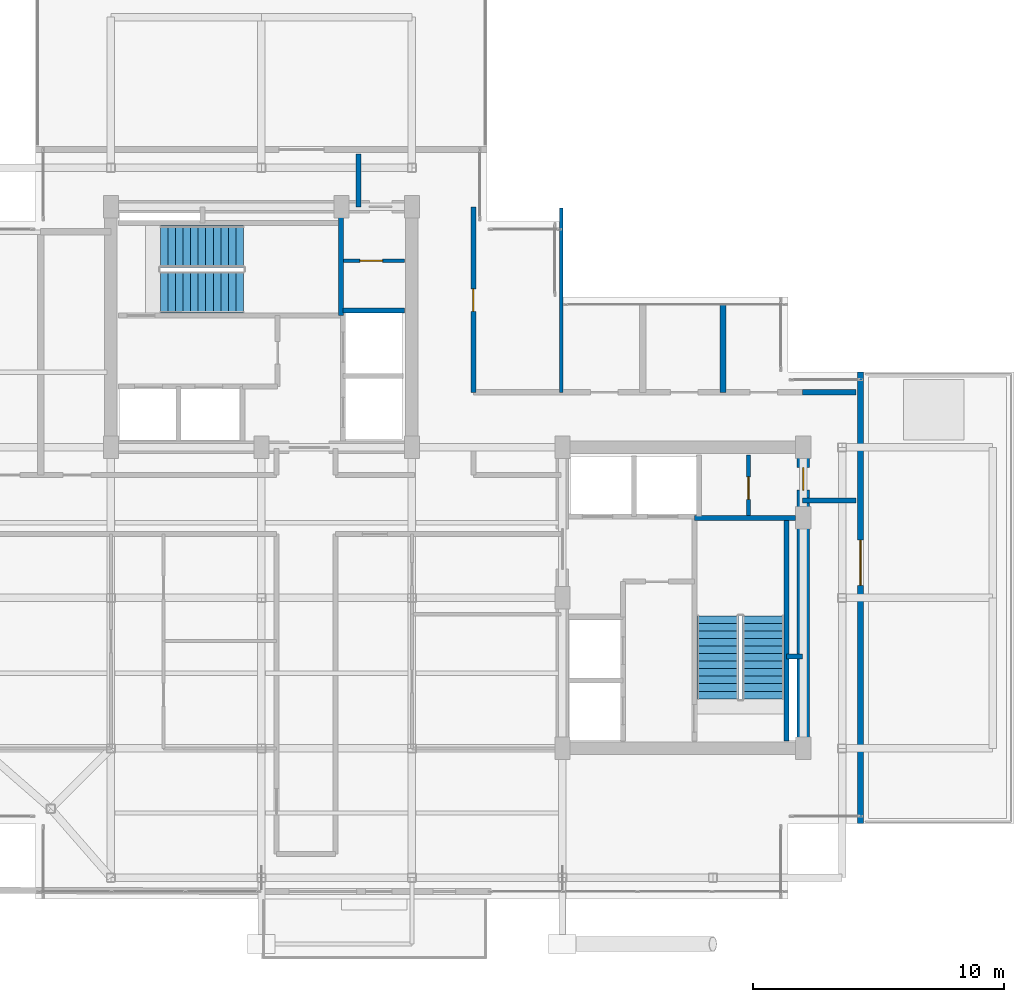
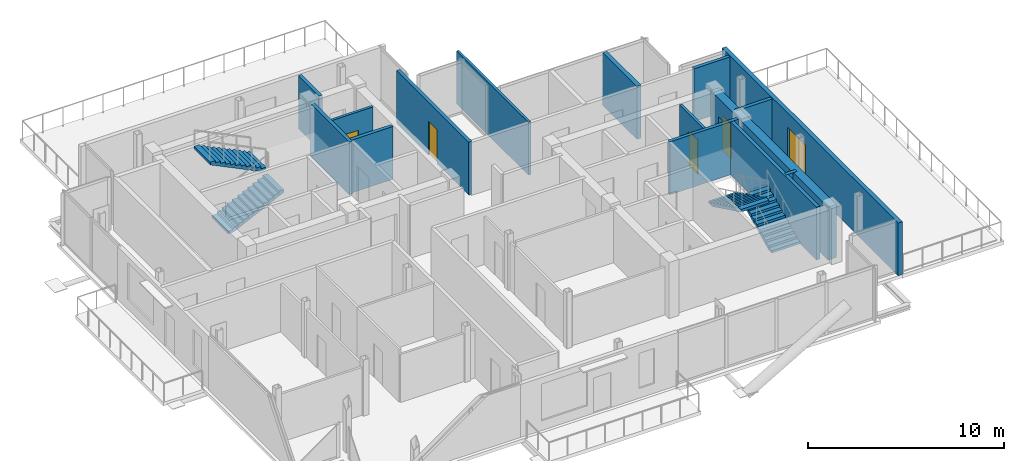
# One storey, part 16 of 19: 15 walls, 5 doors, 4 stair flights, 5 openings, 2 elements without a shape of their own.
"""IFC4 building model written with IfcOpenShell, lengths in metres."""

import ifcopenshell
import ifcopenshell.guid

model = None  # the IFC model being written
_history = None  # IfcOwnerHistory: only IFC2X3 demands one
_inside = {}  # id of a spatial element -> (the spatial element, [elements in it])
_under = {}  # id of a project, library or spatial element -> (it, [spatial elements below it])
_declared = {}  # id of a project -> (the project, [libraries it declares])
_typed = {}  # id of a type object -> (the type object, [elements of that type])
_made_of = {}  # id of a material, layer set ... -> (it, [elements and type objects made of it])


def new_model(schema):
    """Start an empty IFC model of exactly this schema.

    Asked for "IFC4X3", IfcOpenShell would pick the latest addendum, in which some entities
    have other attributes; the version numbers below select the first issue.
    IFC2X3 requires an IfcOwnerHistory on every rooted entity: one is made here for all.
    """
    global model, _history
    if schema == "IFC4X3":
        model = ifcopenshell.file(schema_version=(4, 3, 0, 0))
    else:
        model = ifcopenshell.file(schema=schema)
    _inside.clear()
    _under.clear()
    _declared.clear()
    _typed.clear()
    _made_of.clear()
    _history = None
    if model.schema == "IFC2X3":
        org = make("IfcOrganization", Name="unknown")
        user = make(
            "IfcPersonAndOrganization",
            ThePerson=make("IfcPerson", FamilyName="unknown"),
            TheOrganization=org,
        )
        app = make(
            "IfcApplication",
            ApplicationDeveloper=org,
            Version="unknown",
            ApplicationFullName="unknown",
            ApplicationIdentifier="unknown",
        )
        _history = make(
            "IfcOwnerHistory",
            OwningUser=user,
            OwningApplication=app,
            ChangeAction="ADDED",
            CreationDate=0,
        )
    return model


def make(cls, **values):
    """One entity of the class cls with the attributes given. An attribute that is None is left unset."""
    return model.create_entity(
        cls, **{name: value for name, value in values.items() if value is not None}
    )


def rooted(cls, **values):
    """An entity with a GlobalId (a new one), such as an element, a storey or a relation."""
    return make(cls, GlobalId=ifcopenshell.guid.new(), OwnerHistory=_history, **values)


def si_unit(unit_type, name, prefix=None):
    """IfcSIUnit, for example si_unit("LENGTHUNIT", "METRE", prefix="MILLI")."""
    return make("IfcSIUnit", UnitType=unit_type, Prefix=prefix, Name=name)


def assignment(units):
    """IfcUnitAssignment: the units of a project."""
    return None if units is None else make("IfcUnitAssignment", Units=units)


def point(xyz):
    """IfcCartesianPoint."""
    return None if xyz is None else make("IfcCartesianPoint", Coordinates=xyz)


def direction(xyz):
    """IfcDirection."""
    return None if xyz is None else make("IfcDirection", DirectionRatios=xyz)


def frame(location, z_axis=None, x_axis=None):
    """IfcAxis2Placement3D, a coordinate frame: its origin and axes. An axis left out is left unset."""
    return make(
        "IfcAxis2Placement3D",
        Location=point(location),
        Axis=direction(z_axis),
        RefDirection=direction(x_axis),
    )


def frame_2d(location, x_axis=None):
    """IfcAxis2Placement2D, a coordinate frame in the plane: its origin and x axis."""
    return make(
        "IfcAxis2Placement2D", Location=point(location), RefDirection=direction(x_axis)
    )


def origin():
    """The frame at (0, 0, 0) with its axes left unset."""
    return frame((0.0, 0.0, 0.0))


def place(relative_to, where):
    """IfcLocalPlacement: puts the frame where relative to a parent placement (None: the world)."""
    return make(
        "IfcLocalPlacement", PlacementRelTo=relative_to, RelativePlacement=where
    )


def context(
    kind, dimensions, precision=None, world=None, true_north=None, identifier=None
):
    """IfcGeometricRepresentationContext, for example the 3D "Model" context."""
    return make(
        "IfcGeometricRepresentationContext",
        ContextIdentifier=identifier,
        ContextType=kind,
        CoordinateSpaceDimension=dimensions,
        Precision=precision,
        WorldCoordinateSystem=world,
        TrueNorth=true_north,
    )


def subcontext(parent, identifier, kind, view, scale=None):
    """IfcGeometricRepresentationSubContext, for example "Body" below "Model"."""
    return make(
        "IfcGeometricRepresentationSubContext",
        ContextIdentifier=identifier,
        ContextType=kind,
        ParentContext=parent,
        TargetScale=scale,
        TargetView=view,
    )


def project(units=None, contexts=None):
    """IfcProject with its units and contexts."""
    return rooted(
        "IfcProject",
        Name="project",
        RepresentationContexts=contexts,
        UnitsInContext=assignment(units),
    )


def spatial(cls, under=None, at=None, **own):
    """A site, building, storey or space (cls), placed at a placement, below another one or the project."""
    s = rooted(cls, ObjectPlacement=at, **own)
    if under is not None:
        _under.setdefault(under.id(), (under, []))[1].append(s)
    return s


def polyline(points):
    """IfcPolyline through the points."""
    return make("IfcPolyline", Points=[point(p) for p in points])


def profile(cls, at=None, kind="AREA", **sizes):
    """A parametric profile (cls). Its sizes go by their IFC names, for example OverallWidth=200.0."""
    return make(cls, ProfileType=kind, Position=at, **sizes)


def rectangle(**sizes):
    """IfcRectangleProfileDef."""
    return profile("IfcRectangleProfileDef", **sizes)


def outline(outer, holes=None, kind="AREA"):
    """IfcArbitraryClosedProfileDef: a profile drawn as a closed curve; with holes, ...WithVoids."""
    if holes is None:
        return make("IfcArbitraryClosedProfileDef", ProfileType=kind, OuterCurve=outer)
    return make(
        "IfcArbitraryProfileDefWithVoids",
        ProfileType=kind,
        OuterCurve=outer,
        InnerCurves=holes,
    )


def extrude(swept, where, along, depth):
    """IfcExtrudedAreaSolid: the profile swept, set in the frame where, extruded along a direction by depth."""
    return make(
        "IfcExtrudedAreaSolid",
        SweptArea=swept,
        Position=where,
        ExtrudedDirection=direction(along),
        Depth=depth,
    )


def shape(context_of_items, identifier, shape_type, items):
    """IfcShapeRepresentation: the items that make up one representation, for example the "Body"."""
    return make(
        "IfcShapeRepresentation",
        ContextOfItems=context_of_items,
        RepresentationIdentifier=identifier,
        RepresentationType=shape_type,
        Items=items,
    )


def material(Name=None, Category=None):
    """IfcMaterial."""
    return make("IfcMaterial", Name=Name, Category=Category)


def layer(
    of_material, thickness, ventilated=None, Name=None, Category=None, Priority=None
):
    """IfcMaterialLayer: one layer of a wall or slab, of a material (None: an air gap)."""
    return make(
        "IfcMaterialLayer",
        Material=of_material,
        LayerThickness=thickness,
        IsVentilated=ventilated,
        Name=Name,
        Category=Category,
        Priority=Priority,
    )


def layer_set(layers, Name=None):
    """IfcMaterialLayerSet."""
    return make("IfcMaterialLayerSet", MaterialLayers=layers, LayerSetName=Name)


def made_of(thing, what):
    """Note that an element or type object is made of a material, layer set ...; save() writes the relation."""
    if what is not None:
        _made_of.setdefault(what.id(), (what, []))[1].append(thing)
    return thing


def type_object(cls, material=None, **own):
    """A type object (cls), such as IfcWallType, which elements share."""
    return made_of(rooted(cls, **own), material)


def element(
    cls,
    number,
    at=None,
    inside=None,
    cuts=None,
    type_object=None,
    material=None,
    context=None,
    identifier="Body",
    shape_type=None,
    held_by="IfcProductDefinitionShape",
    body=None,
    shapes=None,
    **own,
):
    """One element of the class cls, such as IfcWall. Its Tag is "e" and its number.

    at: its placement. inside: the storey or other place that contains it. cuts: it is an
    opening in that element (IfcRelVoidsElement). A single representation is given by context,
    identifier, shape_type and body (its items); several are given by shapes. held_by: the class
    of the entity that holds the representations. save() writes the other relations.
    """
    e = rooted(cls, Tag="e%d" % number, ObjectPlacement=at, **own)
    if body is not None:
        shapes = [shape(context, identifier, shape_type, body)]
    if shapes is not None:
        e.Representation = make(held_by, Representations=shapes)
    if inside is not None:
        _inside.setdefault(inside.id(), (inside, []))[1].append(e)
    if cuts is not None:
        rooted(
            "IfcRelVoidsElement", RelatingBuildingElement=cuts, RelatedOpeningElement=e
        )
    if type_object is not None:
        _typed.setdefault(type_object.id(), (type_object, []))[1].append(e)
    return made_of(e, material)


def fill(opening, filler):
    """IfcRelFillsElement: the door or window that sits in an opening."""
    return rooted(
        "IfcRelFillsElement",
        RelatingOpeningElement=opening,
        RelatedBuildingElement=filler,
    )


def aggregate(whole, parts):
    """IfcRelAggregates: a whole, such as a stair, and the parts it consists of."""
    return rooted("IfcRelAggregates", RelatingObject=whole, RelatedObjects=parts)


def save(model, path):
    """Write the relations noted so far, then the file.

    IfcRelAggregates (storeys below a building ...), IfcRelContainedInSpatialStructure (elements
    in a storey), IfcRelDefinesByType, IfcRelAssociatesMaterial and IfcRelDeclares: one each for
    every whole, place, type object, material and project.
    """
    for whole, parts in _under.values():
        aggregate(whole, parts)
    for where, things in _inside.values():
        rooted(
            "IfcRelContainedInSpatialStructure",
            RelatedElements=things,
            RelatingStructure=where,
        )
    for kind, things in _typed.values():
        rooted("IfcRelDefinesByType", RelatedObjects=things, RelatingType=kind)
    for what, things in _made_of.values():
        rooted("IfcRelAssociatesMaterial", RelatedObjects=things, RelatingMaterial=what)
    for by, libraries in _declared.values():
        rooted("IfcRelDeclares", RelatingContext=by, RelatedDefinitions=libraries)
    model.write(path)


model = new_model("IFC4")

# Units and contexts
model_context = context("Model", 3, precision=1e-05, world=origin(), true_north=direction((0.0, 1.0)))
body_context = subcontext(model_context, "Body", "Model", "MODEL_VIEW")
ifc_project = project(units=[si_unit("LENGTHUNIT", "METRE"), si_unit("AREAUNIT", "SQUARE_METRE"), si_unit("VOLUMEUNIT", "CUBIC_METRE"), si_unit("PLANEANGLEUNIT", "RADIAN"), si_unit("MASSUNIT", "GRAM", prefix="KILO"), si_unit("THERMODYNAMICTEMPERATUREUNIT", "KELVIN"), si_unit("POWERUNIT", "WATT")], contexts=[model_context])

# Site, building, storey
site_placement = place(None, origin())
site = spatial("IfcSite", under=ifc_project, at=site_placement, CompositionType="ELEMENT")
building_placement = place(site_placement, origin())
building = spatial("IfcBuilding", under=site, at=building_placement, Name="Svarakhadi Broadcast Tower", CompositionType="ELEMENT")
storey_placement = place(building_placement, frame((0.0, 0.0, 239.699951171875)))
storey = spatial("IfcBuildingStorey", under=building, at=storey_placement, Name="L59", CompositionType="ELEMENT", Elevation=239.699951171875)

# Wall
ifc_material_1 = material(Name="Double-Stud Acoustic Studio Partition STC-62", Category="gypsum")
ifc_layer_1 = layer(ifc_material_1, 0.199951171875)
ifc_layer_set_1 = layer_set([ifc_layer_1], Name="Double-Stud Acoustic Studio Partition STC-62")
wall_type_1 = type_object("IfcWallType", Name="Wall_Acoust_200", PredefinedType="PARTITIONING", material=ifc_layer_set_1)
wall_1_placement = place(storey_placement, frame((15.8798828125, 27.580078125, 0.0), z_axis=(0.0, 0.0, 1.0), x_axis=(0.0, 1.0, 0.0)))
element("IfcWall", 1, at=wall_1_placement, inside=storey, type_object=wall_type_1, Name="L59 Upper Tower Concourse Wall", PredefinedType="PARTITIONING", context=body_context, shape_type="SweptSolid", body=[
    extrude(rectangle(XDim=2.119873046875, YDim=0.199951171875, at=frame_2d((1.06005859375, 0.0))), origin(), (0.0, 0.0, 1.0), 3.300048828125),
])

# Wall, opening, door
wall_2_placement = place(storey_placement, frame((20.449951171875, 27.580078125, 0.0), z_axis=(0.0, 0.0, 1.0), x_axis=(0.0, -1.0, 0.0)))
wall_2 = element("IfcWall", 2, at=wall_2_placement, inside=storey, type_object=wall_type_1, Name="L59 Upper Tower Concourse Wall", PredefinedType="PARTITIONING", context=body_context, shape_type="SweptSolid", body=[
    extrude(rectangle(XDim=7.380126953125, YDim=0.199951171875, at=frame_2d((3.68994140625, 0.0))), origin(), (0.0, 0.0, 1.0), 3.300048828125),
])
opening_1_placement = place(wall_2_placement, frame((3.2548828125, 0.0, 0.0)))
opening_1 = element("IfcOpeningElement", 3, at=opening_1_placement, cuts=wall_2, Name="Opening D-13", PredefinedType="OPENING", context=body_context, shape_type="SweptSolid", body=[
    extrude(rectangle(XDim=0.89990234375, YDim=2.10009765625, at=frame_2d((0.449951171875, 1.050048828125))), frame((0.0, 0.10986328125, 0.0), z_axis=(0.0, -1.0, 0.0), x_axis=(1.0, 0.0, 0.0)), (0.0, 0.0, 1.0), 0.219970703125),
])
ifc_material_2 = material(Name="Solid-Core Teak Veneer Acoustic Timber Leaf", Category="wood")
door_type_1 = type_object("IfcDoorType", Name="Door_Closet_D13", OperationType="SINGLE_SWING_RIGHT", PredefinedType="DOOR", material=ifc_material_2)
door_1_placement = place(opening_1_placement, origin())
door_1 = element("IfcDoor", 4, at=door_1_placement, inside=storey, type_object=door_type_1, Name="L59 Accessible Visitor Washroom WC Door", OperationType="SINGLE_SWING_RIGHT", OverallHeight=2.10009765625, OverallWidth=0.89990234375, PredefinedType="DOOR", context=body_context, shape_type="SweptSolid", body=[
    extrude(rectangle(XDim=0.89990234375, YDim=2.10009765625, at=frame_2d((0.449951171875, 1.050048828125))), frame((0.0, 0.02490234375, 0.0), z_axis=(0.0, -1.0, 0.0), x_axis=(1.0, 0.0, 0.0)), (0.0, 0.0, 1.0), 0.050048828125),
])
fill(opening_1, door_1)

# Walls
for number, where, z_axis, x_axis, name in (
    (5, (33.580078125, 20.199951171875, 0.0), (0.0, 0.0, 1.0), (1.0, 0.0, 0.0), "L59 Upper Tower Concourse Wall"),
    (6, (35.699951171875, 15.8798828125, 0.0), (0.0, 0.0, 1.0), (-1.0, 0.0, 0.0), "L59 Upper Tower Concourse Wall"),
):
    element("IfcWall", number, at=place(storey_placement, frame(where, z_axis=z_axis, x_axis=x_axis)), inside=storey, type_object=wall_type_1, Name=name, PredefinedType="PARTITIONING", context=body_context, shape_type="SweptSolid", body=[
        extrude(rectangle(XDim=2.119873046875, YDim=0.199951171875, at=frame_2d((1.06005859375, 0.0))), origin(), (0.0, 0.0, 1.0), 3.300048828125),
    ])
ifc_layer_2 = layer(ifc_material_1, 0.25)
ifc_layer_set_2 = layer_set([ifc_layer_2], Name="Double-Stud Acoustic Studio Partition STC-62")
wall_type_2 = type_object("IfcWallType", Name="Wall_Acoust_250", PredefinedType="PARTITIONING", material=ifc_layer_set_2)
wall_3_placement = place(storey_placement, frame((30.39990234375, 20.199951171875, 0.0), z_axis=(0.0, 0.0, 1.0), x_axis=(0.0, 1.0, 0.0)))
element("IfcWall", 7, at=wall_3_placement, inside=storey, type_object=wall_type_2, Name="L59 Private Sommelier Tasting Pantry Wall", PredefinedType="PARTITIONING", context=body_context, shape_type="SweptSolid", body=[
    extrude(rectangle(XDim=3.5, YDim=0.25, at=frame_2d((1.75, 0.0))), origin(), (0.0, 0.0, 1.0), 3.300048828125),
])

# Wall, opening, door
ifc_material_3 = material(Name="Concrete C40/50 (IS 456 M50)", Category="concrete")
ifc_layer_3 = layer(ifc_material_3, 0.239990234375)
ifc_layer_set_3 = layer_set([ifc_layer_3], Name="Concrete C40/50 (IS 456 M50)")
wall_type_3 = type_object("IfcWallType", Name="Wall_Ext_240", PredefinedType="SOLIDWALL", material=ifc_layer_set_3)
wall_4_placement = place(storey_placement, frame((35.8798828125, 21.0, 0.0), z_axis=(0.0, 0.0, 1.0), x_axis=(0.0, -1.0, 0.0)))
wall_4 = element("IfcWall", 8, at=wall_4_placement, inside=storey, type_object=wall_type_3, Name="L59 East Setback Terrace Access Wall", PredefinedType="SOLIDWALL", context=body_context, shape_type="SweptSolid", body=[
    extrude(rectangle(XDim=18.0, YDim=0.239990234375, at=frame_2d((9.0, 0.0))), origin(), (0.0, 0.0, 1.0), 3.300048828125),
])
opening_2_placement = place(wall_4_placement, frame((6.699951171875, 0.0, 0.0)))
opening_2 = element("IfcOpeningElement", 9, at=opening_2_placement, cuts=wall_4, Name="Opening ED-02", PredefinedType="OPENING", context=body_context, shape_type="SweptSolid", body=[
    extrude(rectangle(XDim=1.800048828125, YDim=2.39990234375, at=frame_2d((0.89990234375, 1.199951171875))), frame((0.0, 0.1298828125, 0.0), z_axis=(0.0, -1.0, 0.0), x_axis=(1.0, 0.0, 0.0)), (0.0, 0.0, 1.0), 0.260009765625),
])
ifc_material_4 = material(Name="Anodised Bronze Aluminium AA 6063-T6", Category="aluminium")
door_type_2 = type_object("IfcDoorType", Name="Door_Ext_ED02", OperationType="DOUBLE_DOOR_SINGLE_SWING", PredefinedType="DOOR", material=ifc_material_4)
door_2_placement = place(opening_2_placement, origin())
door_2 = element("IfcDoor", 10, at=door_2_placement, inside=storey, type_object=door_type_2, Name="L59 East Setback Terrace Door", OperationType="DOUBLE_DOOR_SINGLE_SWING", OverallHeight=2.39990234375, OverallWidth=1.800048828125, PredefinedType="DOOR", context=body_context, shape_type="SweptSolid", body=[
    extrude(rectangle(XDim=1.800048828125, YDim=2.39990234375, at=frame_2d((0.89990234375, 1.199951171875))), frame((0.0, 0.02490234375, 0.0), z_axis=(0.0, -1.0, 0.0), x_axis=(1.0, 0.0, 0.0)), (0.0, 0.0, 1.0), 0.050048828125),
])
fill(opening_2, door_2)

# Wall
ifc_layer_4 = layer(ifc_material_3, 0.199951171875)
ifc_layer_set_4 = layer_set([ifc_layer_4], Name="Concrete C40/50 (IS 456 M50)")
wall_type_4 = type_object("IfcWallType", Name="Wall_Fire_200", PredefinedType="SOLIDWALL", material=ifc_layer_set_4)
wall_5_placement = place(storey_placement, frame((32.93994140625, 9.659912109375, 0.0), z_axis=(0.0, 0.0, 1.0), x_axis=(1.0, 0.0, 0.0)))
element("IfcWall", 11, at=wall_5_placement, inside=storey, type_object=wall_type_4, Name="L59 HV Busduct Riser Shaft North Wall", PredefinedType="SOLIDWALL", context=body_context, shape_type="SweptSolid", body=[
    extrude(rectangle(XDim=0.64013671875, YDim=0.199951171875, at=frame_2d((0.320068359375, 0.0))), origin(), (0.0, 0.0, 1.0), 3.300048828125),
])

# Wall, opening, door
ifc_material_5 = material(Name="Autoclaved Aerated Concrete Blockwork 150 mm", Category="masonry")
ifc_layer_5 = layer(ifc_material_5, 0.14990234375)
ifc_layer_set_5 = layer_set([ifc_layer_5], Name="Autoclaved Aerated Concrete Blockwork 150 mm")
wall_type_5 = type_object("IfcWallType", Name="Wall_Part_150", PredefinedType="PARTITIONING", material=ifc_layer_set_5)
wall_6_placement = place(storey_placement, frame((15.280029296875, 25.43994140625, 0.0), z_axis=(0.0, 0.0, 1.0), x_axis=(1.0, 0.0, 0.0)))
wall_6 = element("IfcWall", 12, at=wall_6_placement, inside=storey, type_object=wall_type_5, Name="L59 West Core Dual Store Wall", PredefinedType="PARTITIONING", context=body_context, shape_type="SweptSolid", body=[
    extrude(rectangle(XDim=2.419921875, YDim=0.14990234375, at=frame_2d((1.2099609375, 0.0))), origin(), (0.0, 0.0, 1.0), 3.300048828125),
])
opening_3_placement = place(wall_6_placement, frame((0.64990234375, 0.0, 0.0)))
opening_3 = element("IfcOpeningElement", 13, at=opening_3_placement, cuts=wall_6, Name="Opening D-03", PredefinedType="OPENING", context=body_context, shape_type="SweptSolid", body=[
    extrude(rectangle(XDim=0.89990234375, YDim=2.14990234375, at=frame_2d((0.449951171875, 1.074951171875))), frame((0.0, 0.0849609375, 0.0), z_axis=(0.0, -1.0, 0.0), x_axis=(1.0, 0.0, 0.0)), (0.0, 0.0, 1.0), 0.169921875),
])
ifc_material_6 = material(Name="Galvanised Powder-Coated Fire-Rated Steel Leaf", Category="steel")
door_type_3 = type_object("IfcDoorType", Name="Door_Fire_D03", OperationType="SINGLE_SWING_LEFT", PredefinedType="DOOR", material=ifc_material_6)
door_3_placement = place(opening_3_placement, origin())
door_3 = element("IfcDoor", 14, at=door_3_placement, inside=storey, type_object=door_type_3, Name="L59 West Core Store B Door", OperationType="SINGLE_SWING_LEFT", OverallHeight=2.14990234375, OverallWidth=0.89990234375, PredefinedType="DOOR", context=body_context, shape_type="SweptSolid", body=[
    extrude(rectangle(XDim=0.89990234375, YDim=2.14990234375, at=frame_2d((0.449951171875, 1.074951171875))), frame((0.0, 0.02490234375, 0.0), z_axis=(0.0, -1.0, 0.0), x_axis=(1.0, 0.0, 0.0)), (0.0, 0.0, 1.0), 0.050048828125),
])
fill(opening_3, door_3)

wall_7_placement = place(storey_placement, frame((31.419921875, 15.280029296875, 0.0), z_axis=(0.0, 0.0, 1.0), x_axis=(0.0, 1.0, 0.0)))
wall_7 = element("IfcWall", 15, at=wall_7_placement, inside=storey, type_object=wall_type_5, Name="L59 East Core Dual Store Wall", PredefinedType="PARTITIONING", context=body_context, shape_type="SweptSolid", body=[
    extrude(rectangle(XDim=2.419921875, YDim=0.14990234375, at=frame_2d((1.2099609375, 0.0))), origin(), (0.0, 0.0, 1.0), 3.300048828125),
])
opening_4_placement = place(wall_7_placement, frame((0.64990234375, 0.0, 0.0)))
opening_4 = element("IfcOpeningElement", 16, at=opening_4_placement, cuts=wall_7, Name="Opening D-04", PredefinedType="OPENING", context=body_context, shape_type="SweptSolid", body=[
    extrude(rectangle(XDim=0.89990234375, YDim=2.14990234375, at=frame_2d((0.449951171875, 1.074951171875))), frame((0.0, 0.0849609375, 0.0), z_axis=(0.0, -1.0, 0.0), x_axis=(1.0, 0.0, 0.0)), (0.0, 0.0, 1.0), 0.169921875),
])
door_type_4 = type_object("IfcDoorType", Name="Door_Fire_D04", OperationType="SINGLE_SWING_RIGHT", PredefinedType="DOOR", material=ifc_material_6)
door_4_placement = place(opening_4_placement, origin())
door_4 = element("IfcDoor", 17, at=door_4_placement, inside=storey, type_object=door_type_4, Name="L59 East Core Store B Door", OperationType="SINGLE_SWING_RIGHT", OverallHeight=2.14990234375, OverallWidth=0.89990234375, PredefinedType="DOOR", context=body_context, shape_type="SweptSolid", body=[
    extrude(rectangle(XDim=0.89990234375, YDim=2.14990234375, at=frame_2d((0.449951171875, 1.074951171875))), frame((0.0, 0.02490234375, 0.0), z_axis=(0.0, -1.0, 0.0), x_axis=(1.0, 0.0, 0.0)), (0.0, 0.0, 1.0), 0.050048828125),
])
fill(opening_4, door_4)

# Walls
wall_8_placement = place(storey_placement, frame((23.949951171875, 20.199951171875, 0.0), z_axis=(0.0, 0.0, 1.0), x_axis=(0.0, 1.0, 0.0)))
element("IfcWall", 18, at=wall_8_placement, inside=storey, type_object=wall_type_5, Name="L59 Accessible Visitor Washroom WC Wall", PredefinedType="PARTITIONING", context=body_context, shape_type="SweptSolid", body=[
    extrude(rectangle(XDim=7.35009765625, YDim=0.14990234375, at=frame_2d((3.675048828125, 0.0))), origin(), (0.0, 0.0, 1.0), 3.300048828125),
])
ifc_material_7 = material(Name="Concrete C50/60 (IS 456 M60)", Category="concrete")
ifc_layer_6 = layer(ifc_material_7, 0.199951171875)
ifc_layer_set_6 = layer_set([ifc_layer_6], Name="Concrete C50/60 (IS 456 M60)")
wall_type_6 = type_object("IfcWallType", Name="Wall_Shear_200", PredefinedType="SHEAR", material=ifc_layer_set_6)
wall_9_placement = place(storey_placement, frame((15.179931640625, 23.260009765625, 0.0), z_axis=(0.0, 0.0, 1.0), x_axis=(0.0, 1.0, 0.0)))
element("IfcWall", 19, at=wall_9_placement, inside=storey, type_object=wall_type_6, Name="L59 Stair ST-01 East RC Shaft Wall", PredefinedType="SHEAR", context=body_context, shape_type="SweptSolid", body=[
    extrude(rectangle(XDim=4.0400390625, YDim=0.199951171875, at=frame_2d((2.02001953125, 0.0))), origin(), (0.0, 0.0, 1.0), 3.300048828125),
])
wall_10_placement = place(storey_placement, frame((32.93994140625, 6.300048828125, 0.0), z_axis=(0.0, 0.0, 1.0), x_axis=(0.0, 1.0, 0.0)))
element("IfcWall", 20, at=wall_10_placement, inside=storey, type_object=wall_type_6, Name="L59 Stair ST-02 East RC Shaft Wall", PredefinedType="SHEAR", context=body_context, shape_type="SweptSolid", body=[
    extrude(rectangle(XDim=8.8798828125, YDim=0.199951171875, at=frame_2d((4.43994140625, 0.0))), origin(), (0.0, 0.0, 1.0), 3.300048828125),
])
wall_11_placement = place(storey_placement, frame((29.260009765625, 15.179931640625, 0.0), z_axis=(0.0, 0.0, 1.0), x_axis=(1.0, 0.0, 0.0)))
element("IfcWall", 21, at=wall_11_placement, inside=storey, type_object=wall_type_6, Name="L59 Stair ST-02 North RC Shaft Wall", PredefinedType="SHEAR", context=body_context, shape_type="SweptSolid", body=[
    extrude(rectangle(XDim=4.0400390625, YDim=0.199951171875, at=frame_2d((2.02001953125, 0.0))), origin(), (0.0, 0.0, 1.0), 3.300048828125),
])
wall_12_placement = place(storey_placement, frame((15.25, 23.449951171875, 0.0), z_axis=(0.0, 0.0, 1.0), x_axis=(1.0, 0.0, 0.0)))
element("IfcWall", 22, at=wall_12_placement, inside=storey, type_object=wall_type_6, Name="L59 High-Rise Lift LF-13/14 North Wall", PredefinedType="SHEAR", context=body_context, shape_type="SweptSolid", body=[
    extrude(rectangle(XDim=2.449951171875, YDim=0.199951171875, at=frame_2d((1.22509765625, 0.0))), origin(), (0.0, 0.0, 1.0), 3.300048828125),
])

# Wall, opening, door
ifc_layer_7 = layer(ifc_material_7, 0.5)
ifc_layer_set_7 = layer_set([ifc_layer_7], Name="Concrete C50/60 (IS 456 M60)")
wall_type_7 = type_object("IfcWallType", Name="Wall_Shear_500", PredefinedType="SHEAR", material=ifc_layer_set_7)
wall_13_placement = place(storey_placement, frame((33.60009765625, 6.0, 0.0), z_axis=(0.0, 0.0, 1.0), x_axis=(0.0, 1.0, 0.0)))
wall_13 = element("IfcWall", 23, at=wall_13_placement, inside=storey, type_object=wall_type_7, Name="L59 East Core East Shear Wall", PredefinedType="SHEAR", context=body_context, shape_type="SweptSolid", body=[
    extrude(rectangle(XDim=12.0, YDim=0.5, at=frame_2d((6.0, 0.0))), origin(), (0.0, 0.0, 1.0), 3.300048828125),
])
opening_5_placement = place(wall_13_placement, frame((10.300048828125, 0.0, 0.0)))
opening_5 = element("IfcOpeningElement", 24, at=opening_5_placement, cuts=wall_13, Name="Opening D-03", PredefinedType="OPENING", context=body_context, shape_type="SweptSolid", body=[
    extrude(rectangle(XDim=0.89990234375, YDim=2.14990234375, at=frame_2d((0.449951171875, 1.074951171875))), frame((0.0, 0.260009765625, 0.0), z_axis=(0.0, -1.0, 0.0), x_axis=(1.0, 0.0, 0.0)), (0.0, 0.0, 1.0), 0.52001953125),
])
door_5_placement = place(opening_5_placement, origin())
door_5 = element("IfcDoor", 25, at=door_5_placement, inside=storey, type_object=door_type_3, Name="L59 East Core Store A Door", OperationType="SINGLE_SWING_LEFT", OverallHeight=2.14990234375, OverallWidth=0.89990234375, PredefinedType="DOOR", context=body_context, shape_type="SweptSolid", body=[
    extrude(rectangle(XDim=0.89990234375, YDim=2.14990234375, at=frame_2d((0.449951171875, 1.074951171875))), frame((0.0, 0.02490234375, 0.0), z_axis=(0.0, -1.0, 0.0), x_axis=(1.0, 0.0, 0.0)), (0.0, 0.0, 1.0), 0.050048828125),
])
fill(opening_5, door_5)

# Stair, stair flights
stair_type = type_object("IfcStairType", Name="Stair_Exit_Core", PredefinedType="HALF_TURN_STAIR", material=ifc_material_3)
stair_1_placement = place(storey_placement, origin())
stair_1 = element("IfcStair", 26, at=stair_1_placement, inside=storey, type_object=stair_type, Name="L59 West Core Protected Exit Stair ST-01", PredefinedType="HALF_TURN_STAIR")
stair_flight_type = type_object("IfcStairFlightType", Name="Flight_RC_1680", PredefinedType="STRAIGHT", material=ifc_material_3)
stair_flight_1_placement = place(storey_placement, frame((7.97998046875, 24.18994140625, 0.0), z_axis=(0.0, 0.0, 1.0), x_axis=(1.0, 0.0, 0.0)))
stair_flight_1 = element("IfcStairFlight", 27, at=stair_flight_1_placement, type_object=stair_flight_type, Name="ST-01 flight 1", NumberOfRisers=12, NumberOfTreads=11, PredefinedType="STRAIGHT", RiserHeight=0.145833333, TreadLength=0.3, context=body_context, shape_type="SweptSolid", body=[
    extrude(outline(polyline([(0.0, 0.0), (0.0, 0.145751953125), (0.300048828125, 0.145751953125), (0.300048828125, 0.291748046875), (0.60009765625, 0.291748046875), (0.60009765625, 0.4375), (0.89990234375, 0.4375), (0.89990234375, 0.583251953125), (1.199951171875, 0.583251953125), (1.199951171875, 0.729248046875), (1.5, 0.729248046875), (1.5, 0.875), (1.800048828125, 0.875), (1.800048828125, 1.020751953125), (2.10009765625, 1.020751953125), (2.10009765625, 1.166748046875), (2.39990234375, 1.166748046875), (2.39990234375, 1.3125), (2.699951171875, 1.3125), (2.699951171875, 1.458251953125), (3.0, 1.458251953125), (3.0, 1.604248046875), (3.300048828125, 1.604248046875), (3.300048828125, 1.75), (3.300048828125, 1.4375), (0.3427734375, 0.0), (0.0, 0.0)])), frame((0.0, 0.830078125, 0.0), z_axis=(0.0, -1.0, 0.0), x_axis=(1.0, 0.0, 0.0)), (0.0, 0.0, 1.0), 1.659912109375),
])
stair_flight_2_placement = place(storey_placement, frame((11.280029296875, 26.010009765625, 1.75), z_axis=(0.0, 0.0, 1.0), x_axis=(-1.0, 0.0, 0.0)))
stair_flight_2 = element("IfcStairFlight", 28, at=stair_flight_2_placement, type_object=stair_flight_type, Name="ST-01 flight 2", NumberOfRisers=12, NumberOfTreads=11, PredefinedType="STRAIGHT", RiserHeight=0.145833333, TreadLength=0.3, context=body_context, shape_type="SweptSolid", body=[
    extrude(outline(polyline([(0.0, 0.0), (0.0, 0.145751953125), (0.300048828125, 0.145751953125), (0.300048828125, 0.291748046875), (0.60009765625, 0.291748046875), (0.60009765625, 0.4375), (0.89990234375, 0.4375), (0.89990234375, 0.583251953125), (1.199951171875, 0.583251953125), (1.199951171875, 0.729248046875), (1.5, 0.729248046875), (1.5, 0.875), (1.800048828125, 0.875), (1.800048828125, 1.020751953125), (2.10009765625, 1.020751953125), (2.10009765625, 1.166748046875), (2.39990234375, 1.166748046875), (2.39990234375, 1.3125), (2.699951171875, 1.3125), (2.699951171875, 1.458251953125), (3.0, 1.458251953125), (3.0, 1.604248046875), (3.300048828125, 1.604248046875), (3.300048828125, 1.75), (3.300048828125, 1.4375), (0.3427734375, 0.0), (0.0, 0.0)])), frame((0.0, 0.830078125, 0.0), z_axis=(0.0, -1.0, 0.0), x_axis=(1.0, 0.0, 0.0)), (0.0, 0.0, 1.0), 1.659912109375),
])
aggregate(stair_1, [stair_flight_1, stair_flight_2])

stair_2_placement = place(storey_placement, origin())
stair_2 = element("IfcStair", 29, at=stair_2_placement, inside=storey, type_object=stair_type, Name="L59 East Core Protected Exit Stair ST-02", PredefinedType="HALF_TURN_STAIR")
stair_flight_3_placement = place(storey_placement, frame((32.010009765625, 7.97998046875, 0.0), z_axis=(0.0, 0.0, 1.0), x_axis=(0.0, 1.0, 0.0)))
stair_flight_3 = element("IfcStairFlight", 30, at=stair_flight_3_placement, type_object=stair_flight_type, Name="ST-02 flight 1", NumberOfRisers=12, NumberOfTreads=11, PredefinedType="STRAIGHT", RiserHeight=0.145833333, TreadLength=0.3, context=body_context, shape_type="SweptSolid", body=[
    extrude(outline(polyline([(0.0, 0.0), (0.0, 0.145751953125), (0.300048828125, 0.145751953125), (0.300048828125, 0.291748046875), (0.60009765625, 0.291748046875), (0.60009765625, 0.4375), (0.89990234375, 0.4375), (0.89990234375, 0.583251953125), (1.199951171875, 0.583251953125), (1.199951171875, 0.729248046875), (1.5, 0.729248046875), (1.5, 0.875), (1.800048828125, 0.875), (1.800048828125, 1.020751953125), (2.10009765625, 1.020751953125), (2.10009765625, 1.166748046875), (2.39990234375, 1.166748046875), (2.39990234375, 1.3125), (2.699951171875, 1.3125), (2.699951171875, 1.458251953125), (3.0, 1.458251953125), (3.0, 1.604248046875), (3.300048828125, 1.604248046875), (3.300048828125, 1.75), (3.300048828125, 1.4375), (0.3427734375, 0.0), (0.0, 0.0)])), frame((0.0, 0.830078125, 0.0), z_axis=(0.0, -1.0, 0.0), x_axis=(1.0, 0.0, 0.0)), (0.0, 0.0, 1.0), 1.659912109375),
])
stair_flight_4_placement = place(storey_placement, frame((30.18994140625, 11.280029296875, 1.75), z_axis=(0.0, 0.0, 1.0), x_axis=(0.0, -1.0, 0.0)))
stair_flight_4 = element("IfcStairFlight", 31, at=stair_flight_4_placement, type_object=stair_flight_type, Name="ST-02 flight 2", NumberOfRisers=12, NumberOfTreads=11, PredefinedType="STRAIGHT", RiserHeight=0.145833333, TreadLength=0.3, context=body_context, shape_type="SweptSolid", body=[
    extrude(outline(polyline([(0.0, 0.0), (0.0, 0.145751953125), (0.300048828125, 0.145751953125), (0.300048828125, 0.291748046875), (0.60009765625, 0.291748046875), (0.60009765625, 0.4375), (0.89990234375, 0.4375), (0.89990234375, 0.583251953125), (1.199951171875, 0.583251953125), (1.199951171875, 0.729248046875), (1.5, 0.729248046875), (1.5, 0.875), (1.800048828125, 0.875), (1.800048828125, 1.020751953125), (2.10009765625, 1.020751953125), (2.10009765625, 1.166748046875), (2.39990234375, 1.166748046875), (2.39990234375, 1.3125), (2.699951171875, 1.3125), (2.699951171875, 1.458251953125), (3.0, 1.458251953125), (3.0, 1.604248046875), (3.300048828125, 1.604248046875), (3.300048828125, 1.75), (3.300048828125, 1.4375), (0.3427734375, 0.0), (0.0, 0.0)])), frame((0.0, 0.830078125, 0.0), z_axis=(0.0, -1.0, 0.0), x_axis=(1.0, 0.0, 0.0)), (0.0, 0.0, 1.0), 1.659912109375),
])
aggregate(stair_2, [stair_flight_3, stair_flight_4])

save(model, "model.ifc")
